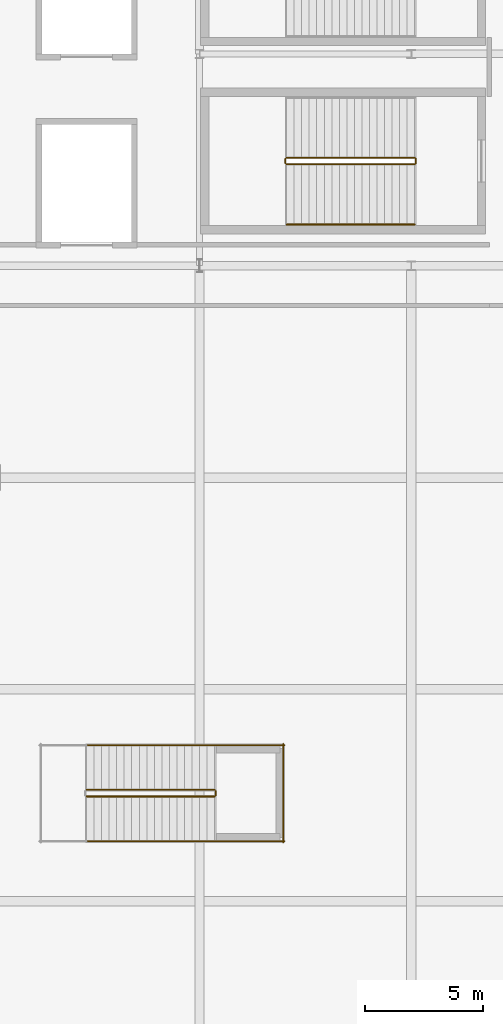
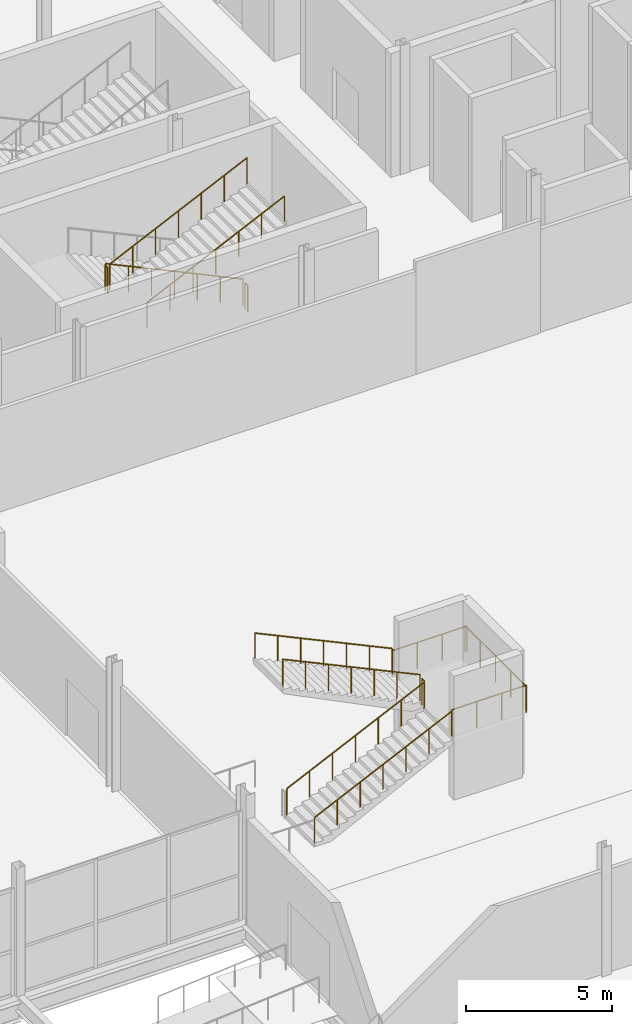
# One storey, part 86 of 94: 13 railings.
"""IFC4 building model written with IfcOpenShell, lengths in metres."""

from ifc_helpers import new_model, si_unit, direction, frame, origin, origin_2d, place, context, subcontext, project, spatial, circle, extrude, material, type_object, element, save


model = new_model("IFC4")

# Units and contexts
model_context = context("Model", 3, precision=1e-05, world=origin(), true_north=direction((0.0, 1.0)))
body_context = subcontext(model_context, "Body", "Model", "MODEL_VIEW")
ifc_project = project(units=[si_unit("LENGTHUNIT", "METRE"), si_unit("AREAUNIT", "SQUARE_METRE"), si_unit("VOLUMEUNIT", "CUBIC_METRE"), si_unit("PLANEANGLEUNIT", "RADIAN"), si_unit("MASSUNIT", "GRAM", prefix="KILO")], contexts=[model_context])

# Site, building, storey
site_placement = place(None, origin())
site = spatial("IfcSite", under=ifc_project, at=site_placement, CompositionType="ELEMENT")
building_placement = place(site_placement, origin())
building = spatial("IfcBuilding", under=site, at=building_placement, Name="Qamarlyn Nura Convention Centre", CompositionType="ELEMENT")
storey_placement = place(building_placement, origin())
storey = spatial("IfcBuildingStorey", under=building, at=storey_placement, Name="L00", CompositionType="ELEMENT", Elevation=0.0)

# Railings
ifc_material = material(Name="Marine Grade 316 stainless steel", Category="steel")
railing_type_1 = type_object("IfcRailingType", Name="GRD-STAIR-112", PredefinedType="BALUSTRADE", material=ifc_material)
railing_1_placement = place(storey_placement, frame((171.139892578125, 58.590087890625, 0.14990234375)))
element("IfcRailing", 1, at=railing_1_placement, inside=storey, type_object=railing_type_1, Name="L00 ST-11 stair guard 1", PredefinedType="BALUSTRADE", context=body_context, shape_type="SweptSolid", body=[
    extrude(circle(Radius=0.02392578125, at=origin_2d()), frame((0.0, 0.0, 1.09619140625), z_axis=(-0.90545405566, 0.0, 0.424444287379), x_axis=(0.0, -1.0, 0.0)), (0.0, 0.0, 1.0), 6.008056640625),
    extrude(circle(Radius=0.02099609375, at=origin_2d()), origin(), (0.0, 0.0, 1.0), 1.070068359375),
    extrude(circle(Radius=0.02099609375, at=origin_2d()), frame((-0.90673828125, 0.0, 0.425048828125)), (0.0, 0.0, 1.0), 1.070068359375),
    extrude(circle(Radius=0.02099609375, at=origin_2d()), frame((-1.813232421875, 0.0, 0.85009765625)), (0.0, 0.0, 1.0), 1.070068359375),
    extrude(circle(Radius=0.02099609375, at=origin_2d()), frame((-2.719970703125, 0.0, 1.27490234375)), (0.0, 0.0, 1.0), 1.070068359375),
    extrude(circle(Radius=0.02099609375, at=origin_2d()), frame((-3.626708984375, 0.0, 1.699951171875)), (0.0, 0.0, 1.0), 1.070068359375),
    extrude(circle(Radius=0.02099609375, at=origin_2d()), frame((-4.533203125, 0.0, 2.125)), (0.0, 0.0, 1.0), 1.070068359375),
    extrude(circle(Radius=0.02099609375, at=origin_2d()), frame((-5.43994140625, 0.0, 2.550048828125)), (0.0, 0.0, 1.0), 1.070068359375),
])
railing_2_placement = place(storey_placement, frame((165.64990234375, 58.5400390625, 2.699951171875)))
element("IfcRailing", 2, at=railing_2_placement, inside=storey, type_object=railing_type_1, Name="L00 ST-11 stair guard 2", PredefinedType="BALUSTRADE", context=body_context, shape_type="SweptSolid", body=[
    extrude(circle(Radius=0.02392578125, at=origin_2d()), frame((0.0, 0.0, 1.09619140625), z_axis=(0.0, -1.0, 0.0), x_axis=(1.0, 0.0, 0.0)), (0.0, 0.0, 1.0), 0.179931640625),
    extrude(circle(Radius=0.02099609375, at=origin_2d()), origin(), (0.0, 0.0, 1.0), 1.070068359375),
    extrude(circle(Radius=0.02099609375, at=origin_2d()), frame((0.0, -0.179931640625, 0.0)), (0.0, 0.0, 1.0), 1.070068359375),
])
railing_3_placement = place(storey_placement, frame((165.699951171875, 58.31005859375, 2.85009765625)))
element("IfcRailing", 3, at=railing_3_placement, inside=storey, type_object=railing_type_1, Name="L00 ST-11 stair guard 3", PredefinedType="BALUSTRADE", context=body_context, shape_type="SweptSolid", body=[
    extrude(circle(Radius=0.02392578125, at=origin_2d()), frame((0.0, 0.0, 1.09619140625), z_axis=(0.90546967238, 0.0, 0.424410971113), x_axis=(0.0, 1.0, 0.0)), (0.0, 0.0, 1.0), 6.0078125),
    extrude(circle(Radius=0.02099609375, at=origin_2d()), origin(), (0.0, 0.0, 1.0), 1.070068359375),
    extrude(circle(Radius=0.02099609375, at=origin_2d()), frame((0.90673828125, 0.0, 0.425048828125)), (0.0, 0.0, 1.0), 1.070068359375),
    extrude(circle(Radius=0.02099609375, at=origin_2d()), frame((1.813232421875, 0.0, 0.849853515625)), (0.0, 0.0, 1.0), 1.070068359375),
    extrude(circle(Radius=0.02099609375, at=origin_2d()), frame((2.719970703125, 0.0, 1.27490234375)), (0.0, 0.0, 1.0), 1.070068359375),
    extrude(circle(Radius=0.02099609375, at=origin_2d()), frame((3.626708984375, 0.0, 1.699951171875)), (0.0, 0.0, 1.0), 1.070068359375),
    extrude(circle(Radius=0.02099609375, at=origin_2d()), frame((4.533203125, 0.0, 2.124755859375)), (0.0, 0.0, 1.0), 1.070068359375),
    extrude(circle(Radius=0.02099609375, at=origin_2d()), frame((5.43994140625, 0.0, 2.5498046875)), (0.0, 0.0, 1.0), 1.070068359375),
])
railing_4_placement = place(storey_placement, frame((171.18994140625, 58.5400390625, 0.0)))
element("IfcRailing", 4, at=railing_4_placement, inside=storey, type_object=railing_type_1, Name="L00 ST-11 stair guard 4", PredefinedType="BALUSTRADE", context=body_context, shape_type="SweptSolid", body=[
    extrude(circle(Radius=0.02392578125, at=origin_2d()), frame((0.0, 0.0, 1.09619140625), z_axis=(0.0, -1.0, 0.0), x_axis=(1.0, 0.0, 0.0)), (0.0, 0.0, 1.0), 0.179931640625),
    extrude(circle(Radius=0.02099609375, at=origin_2d()), origin(), (0.0, 0.0, 1.0), 1.070068359375),
    extrude(circle(Radius=0.02099609375, at=origin_2d()), frame((0.0, -0.179931640625, 0.0)), (0.0, 0.0, 1.0), 1.070068359375),
])
railing_5_placement = place(storey_placement, frame((157.199951171875, 31.449951171875, 0.14990234375)))
element("IfcRailing", 5, at=railing_5_placement, inside=storey, type_object=railing_type_1, Name="L00 ST-20 stair guard 1", PredefinedType="BALUSTRADE", context=body_context, shape_type="SweptSolid", body=[
    extrude(circle(Radius=0.02392578125, at=origin_2d()), frame((0.0, 0.0, 1.09619140625), z_axis=(0.90545405566, 0.0, 0.424444287379), x_axis=(0.0, 1.0, 0.0)), (0.0, 0.0, 1.0), 6.008056640625),
    extrude(circle(Radius=0.02099609375, at=origin_2d()), origin(), (0.0, 0.0, 1.0), 1.070068359375),
    extrude(circle(Radius=0.02099609375, at=origin_2d()), frame((0.90673828125, 0.0, 0.425048828125)), (0.0, 0.0, 1.0), 1.070068359375),
    extrude(circle(Radius=0.02099609375, at=origin_2d()), frame((1.813232421875, 0.0, 0.85009765625)), (0.0, 0.0, 1.0), 1.070068359375),
    extrude(circle(Radius=0.02099609375, at=origin_2d()), frame((2.719970703125, 0.0, 1.27490234375)), (0.0, 0.0, 1.0), 1.070068359375),
    extrude(circle(Radius=0.02099609375, at=origin_2d()), frame((3.626708984375, 0.0, 1.699951171875)), (0.0, 0.0, 1.0), 1.070068359375),
    extrude(circle(Radius=0.02099609375, at=origin_2d()), frame((4.533203125, 0.0, 2.125)), (0.0, 0.0, 1.0), 1.070068359375),
    extrude(circle(Radius=0.02099609375, at=origin_2d()), frame((5.43994140625, 0.0, 2.550048828125)), (0.0, 0.0, 1.0), 1.070068359375),
])
railing_6_placement = place(storey_placement, frame((162.68994140625, 31.5, 2.699951171875)))
element("IfcRailing", 6, at=railing_6_placement, inside=storey, type_object=railing_type_1, Name="L00 ST-20 stair guard 2", PredefinedType="BALUSTRADE", context=body_context, shape_type="SweptSolid", body=[
    extrude(circle(Radius=0.02392578125, at=origin_2d()), frame((0.0, 0.0, 1.09619140625), z_axis=(0.0, 1.0, 0.0), x_axis=(-1.0, 0.0, 0.0)), (0.0, 0.0, 1.0), 0.179931640625),
    extrude(circle(Radius=0.02099609375, at=origin_2d()), origin(), (0.0, 0.0, 1.0), 1.070068359375),
    extrude(circle(Radius=0.02099609375, at=origin_2d()), frame((0.0, 0.179931640625, 0.0)), (0.0, 0.0, 1.0), 1.070068359375),
])
for number, where, name in (
    (7, (162.639892578125, 29.550048828125, 2.699951171875), "L00 ST-20 stair guard 3"),
    (8, (162.639892578125, 33.6298828125, 2.699951171875), "L00 ST-20 stair guard 4"),
):
    element("IfcRailing", number, at=place(storey_placement, frame(where)), inside=storey, type_object=railing_type_1, Name=name, PredefinedType="BALUSTRADE", context=body_context, shape_type="SweptSolid", body=[
        extrude(circle(Radius=0.02392578125, at=origin_2d()), frame((0.0, 0.0, 1.09619140625), z_axis=(1.0, 0.0, 0.0), x_axis=(0.0, 1.0, 0.0)), (0.0, 0.0, 1.0), 2.960205078125),
        extrude(circle(Radius=0.02099609375, at=origin_2d()), origin(), (0.0, 0.0, 1.0), 1.070068359375),
        extrude(circle(Radius=0.02099609375, at=origin_2d()), frame((0.98681640625, 0.0, 0.0)), (0.0, 0.0, 1.0), 1.070068359375),
        extrude(circle(Radius=0.02099609375, at=origin_2d()), frame((1.973388671875, 0.0, 0.0)), (0.0, 0.0, 1.0), 1.070068359375),
        extrude(circle(Radius=0.02099609375, at=origin_2d()), frame((2.960205078125, 0.0, 0.0)), (0.0, 0.0, 1.0), 1.070068359375),
    ])
railing_7_placement = place(storey_placement, frame((165.550048828125, 29.5, 2.699951171875)))
element("IfcRailing", 9, at=railing_7_placement, inside=storey, type_object=railing_type_1, Name="L00 ST-20 stair guard 5", PredefinedType="BALUSTRADE", context=body_context, shape_type="SweptSolid", body=[
    extrude(circle(Radius=0.02392578125, at=origin_2d()), frame((0.0, 0.0, 1.09619140625), z_axis=(0.0, 1.0, 0.0), x_axis=(-1.0, 0.0, 0.0)), (0.0, 0.0, 1.0), 4.179931640625),
    extrude(circle(Radius=0.02099609375, at=origin_2d()), origin(), (0.0, 0.0, 1.0), 1.070068359375),
    extrude(circle(Radius=0.02099609375, at=origin_2d()), frame((0.0, 1.044921875, 0.0)), (0.0, 0.0, 1.0), 1.070068359375),
    extrude(circle(Radius=0.02099609375, at=origin_2d()), frame((0.0, 2.08984375, 0.0)), (0.0, 0.0, 1.0), 1.070068359375),
    extrude(circle(Radius=0.02099609375, at=origin_2d()), frame((0.0, 3.135009765625, 0.0)), (0.0, 0.0, 1.0), 1.070068359375),
    extrude(circle(Radius=0.02099609375, at=origin_2d()), frame((0.0, 4.179931640625, 0.0)), (0.0, 0.0, 1.0), 1.070068359375),
])
railing_8_placement = place(storey_placement, frame((162.639892578125, 31.72998046875, 2.85009765625)))
element("IfcRailing", 10, at=railing_8_placement, inside=storey, type_object=railing_type_1, Name="L00 ST-20 stair guard 6", PredefinedType="BALUSTRADE", context=body_context, shape_type="SweptSolid", body=[
    extrude(circle(Radius=0.02392578125, at=origin_2d()), frame((0.0, 0.0, 1.09619140625), z_axis=(-0.90546967238, 0.0, 0.424410971113), x_axis=(0.0, -1.0, 0.0)), (0.0, 0.0, 1.0), 6.0078125),
    extrude(circle(Radius=0.02099609375, at=origin_2d()), origin(), (0.0, 0.0, 1.0), 1.070068359375),
    extrude(circle(Radius=0.02099609375, at=origin_2d()), frame((-0.90673828125, 0.0, 0.425048828125)), (0.0, 0.0, 1.0), 1.070068359375),
    extrude(circle(Radius=0.02099609375, at=origin_2d()), frame((-1.813232421875, 0.0, 0.849853515625)), (0.0, 0.0, 1.0), 1.070068359375),
    extrude(circle(Radius=0.02099609375, at=origin_2d()), frame((-2.719970703125, 0.0, 1.27490234375)), (0.0, 0.0, 1.0), 1.070068359375),
    extrude(circle(Radius=0.02099609375, at=origin_2d()), frame((-3.626708984375, 0.0, 1.699951171875)), (0.0, 0.0, 1.0), 1.070068359375),
    extrude(circle(Radius=0.02099609375, at=origin_2d()), frame((-4.533203125, 0.0, 2.124755859375)), (0.0, 0.0, 1.0), 1.070068359375),
    extrude(circle(Radius=0.02099609375, at=origin_2d()), frame((-5.43994140625, 0.0, 2.5498046875)), (0.0, 0.0, 1.0), 1.070068359375),
])
railing_type_2 = type_object("IfcRailingType", Name="HRL-STAIR-090", PredefinedType="HANDRAIL", material=ifc_material)
for number, where, name in (
    (11, (165.699951171875, 55.75, 3.002197265625), "L00 ST-11 stair handrail 2"),
    (12, (157.199951171875, 29.550048828125, 0.30224609375), "L00 ST-20 stair handrail 1"),
):
    element("IfcRailing", number, at=place(storey_placement, frame(where)), inside=storey, type_object=railing_type_2, Name=name, PredefinedType="HANDRAIL", context=body_context, shape_type="SweptSolid", body=[
        extrude(circle(Radius=0.02392578125, at=origin_2d()), frame((0.0, 0.0, 0.88818359375), z_axis=(0.90545405566, 0.0, 0.424444287379), x_axis=(0.0, 1.0, 0.0)), (0.0, 0.0, 1.0), 6.008056640625),
        extrude(circle(Radius=0.02099609375, at=origin_2d()), frame((0.0, 0.0, -0.155029296875)), (0.0, 0.0, 1.0), 1.01708984375),
        extrude(circle(Radius=0.02099609375, at=origin_2d()), frame((0.90673828125, 0.0, 0.27001953125)), (0.0, 0.0, 1.0), 1.01708984375),
        extrude(circle(Radius=0.02099609375, at=origin_2d()), frame((1.813232421875, 0.0, 0.695068359375)), (0.0, 0.0, 1.0), 1.01708984375),
        extrude(circle(Radius=0.02099609375, at=origin_2d()), frame((2.719970703125, 0.0, 1.1201171875)), (0.0, 0.0, 1.0), 1.01708984375),
        extrude(circle(Radius=0.02099609375, at=origin_2d()), frame((3.626708984375, 0.0, 1.544921875)), (0.0, 0.0, 1.0), 1.01708984375),
        extrude(circle(Radius=0.02099609375, at=origin_2d()), frame((4.533203125, 0.0, 1.969970703125)), (0.0, 0.0, 1.0), 1.01708984375),
        extrude(circle(Radius=0.02099609375, at=origin_2d()), frame((5.43994140625, 0.0, 2.39501953125)), (0.0, 0.0, 1.0), 1.01708984375),
    ])
railing_9_placement = place(storey_placement, frame((162.639892578125, 33.6298828125, 3.002197265625)))
element("IfcRailing", 13, at=railing_9_placement, inside=storey, type_object=railing_type_2, Name="L00 ST-20 stair handrail 2", PredefinedType="HANDRAIL", context=body_context, shape_type="SweptSolid", body=[
    extrude(circle(Radius=0.02392578125, at=origin_2d()), frame((0.0, 0.0, 0.88818359375), z_axis=(-0.90545405566, 0.0, 0.424444287379), x_axis=(0.0, -1.0, 0.0)), (0.0, 0.0, 1.0), 6.008056640625),
    extrude(circle(Radius=0.02099609375, at=origin_2d()), frame((0.0, 0.0, -0.155029296875)), (0.0, 0.0, 1.0), 1.01708984375),
    extrude(circle(Radius=0.02099609375, at=origin_2d()), frame((-0.90673828125, 0.0, 0.27001953125)), (0.0, 0.0, 1.0), 1.01708984375),
    extrude(circle(Radius=0.02099609375, at=origin_2d()), frame((-1.813232421875, 0.0, 0.695068359375)), (0.0, 0.0, 1.0), 1.01708984375),
    extrude(circle(Radius=0.02099609375, at=origin_2d()), frame((-2.719970703125, 0.0, 1.1201171875)), (0.0, 0.0, 1.0), 1.01708984375),
    extrude(circle(Radius=0.02099609375, at=origin_2d()), frame((-3.626708984375, 0.0, 1.544921875)), (0.0, 0.0, 1.0), 1.01708984375),
    extrude(circle(Radius=0.02099609375, at=origin_2d()), frame((-4.533203125, 0.0, 1.969970703125)), (0.0, 0.0, 1.0), 1.01708984375),
    extrude(circle(Radius=0.02099609375, at=origin_2d()), frame((-5.43994140625, 0.0, 2.39501953125)), (0.0, 0.0, 1.0), 1.01708984375),
])

save(model, "model.ifc")
